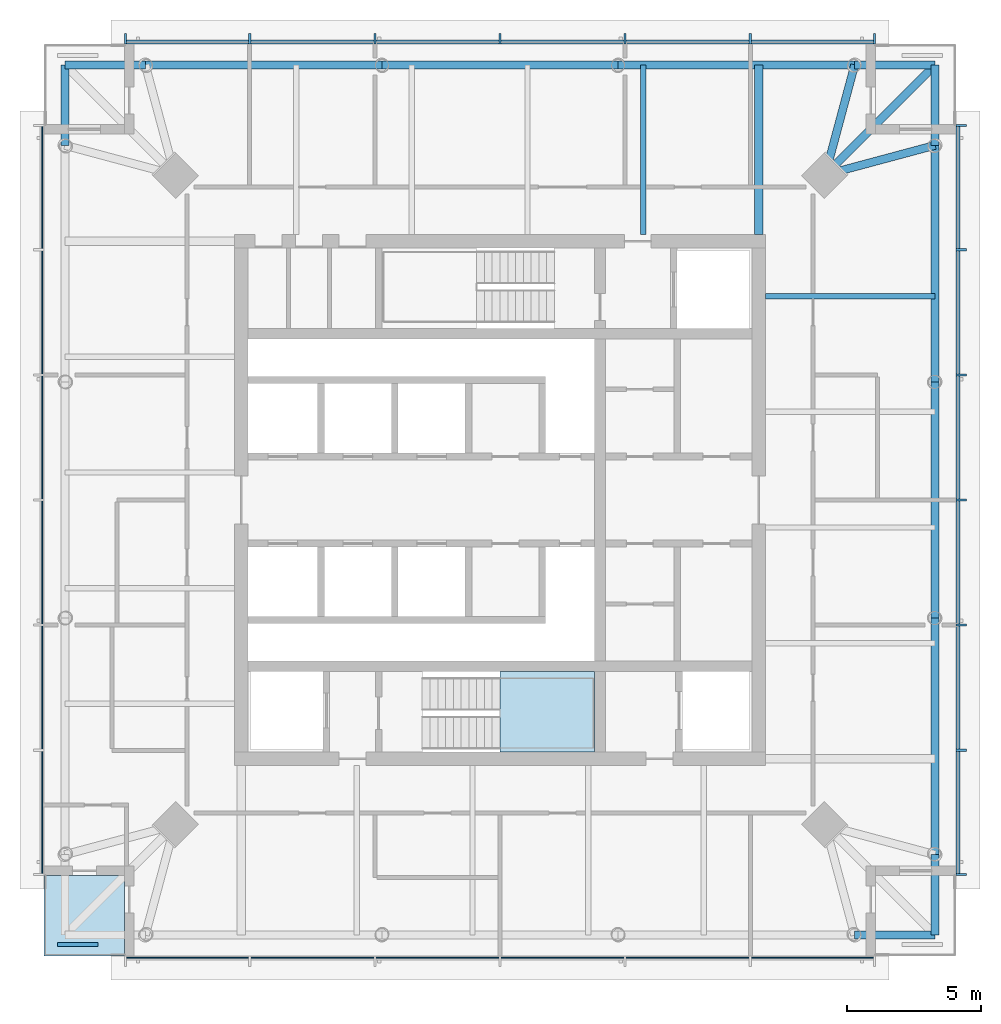
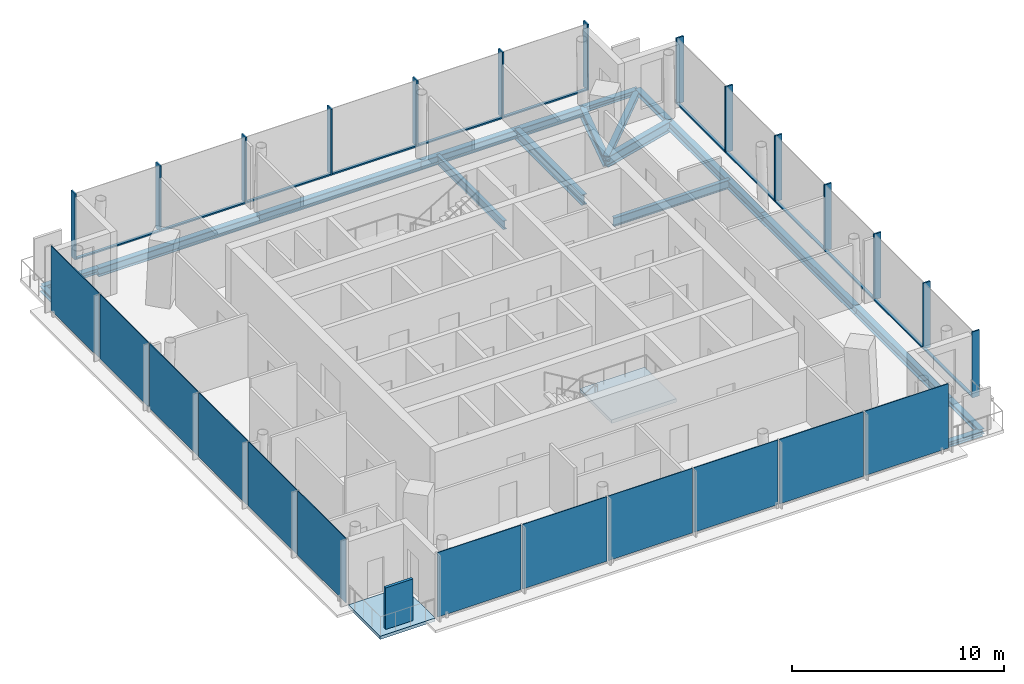
# One storey, part 2 of 9: 26 members, 18 beams, 13 plates, 2 slabs, 5 elements without a shape of their own.
"""IFC4 building model written with IfcOpenShell, lengths in metres."""

from ifc_helpers import new_model, si_unit, direction, frame, origin, origin_2d, place, context, subcontext, project, spatial, polyline, rectangle, i_section, outline, extrude, material, layer, layer_set, material_profile, profile_set, type_object, element, aggregate, save


model = new_model("IFC4")

# Units and contexts
model_context = context("Model", 3, precision=1e-05, world=origin(), true_north=direction((0.0, 1.0)))
body_context = subcontext(model_context, "Body", "Model", "MODEL_VIEW")
ifc_project = project(units=[si_unit("LENGTHUNIT", "METRE"), si_unit("AREAUNIT", "SQUARE_METRE"), si_unit("VOLUMEUNIT", "CUBIC_METRE"), si_unit("PLANEANGLEUNIT", "RADIAN"), si_unit("MASSUNIT", "GRAM", prefix="KILO")], contexts=[model_context])

# Site, building, storey
site_placement = place(None, origin())
site = spatial("IfcSite", under=ifc_project, at=site_placement, CompositionType="ELEMENT")
building_placement = place(site_placement, origin())
building = spatial("IfcBuilding", under=site, at=building_placement, Name="Ostroluk Exchange", CompositionType="ELEMENT")
storey_placement = place(building_placement, frame((0.0, 0.0, 264.199951171875)))
storey = spatial("IfcBuildingStorey", under=building, at=storey_placement, Name="L68", CompositionType="ELEMENT", Elevation=264.199951171875)

# Beams
ifc_material_1 = material(Name="Steel S355", Category="steel")
ifc_material_profile_1 = material_profile(ifc_material_1, i_section(OverallWidth=0.300048828125, OverallDepth=0.300048828125, WebThickness=0.010986328125, FlangeThickness=0.01904296875, FilletRadius=0.027099609375, at=origin_2d()), Name="HEB 300")
ifc_profile_set_1 = profile_set([ifc_material_profile_1], Name="Steel S355")
beam_type_1 = type_object("IfcBeamType", Name="Balcony beam HEB 300", PredefinedType="BEAM", material=ifc_profile_set_1)
for number, where, z_axis, x_axis, name in (
    (1, (61.228515625, 59.228515625, -0.329833984375), (0.0, 1.0, 0.0), (-1.0, 0.0, 0.0), "T1 east balcony beam a"),
    (2, (58.228515625, 62.228515625, -0.329833984375), (1.0, 0.0, 0.0), (0.0, 1.0, 0.0), "T1 east balcony beam b"),
):
    element("IfcBeam", number, at=place(storey_placement, frame(where, z_axis=z_axis, x_axis=x_axis)), inside=storey, type_object=beam_type_1, Name=name, PredefinedType="BEAM", context=body_context, shape_type="SweptSolid", body=[
        extrude(i_section(OverallWidth=0.300048828125, OverallDepth=0.300048828125, WebThickness=0.010986328125, FlangeThickness=0.01904296875, FilletRadius=0.027099609375, at=origin_2d()), origin(), (0.0, 0.0, 1.0), 3.0),
    ])
beam_1_placement = place(storey_placement, frame((57.128662109375, 58.128662109375, -0.329833984375), z_axis=(0.707106781187, 0.707106781187, 0.0), x_axis=(-0.707106781187, 0.707106781187, 0.0)))
element("IfcBeam", 3, at=beam_1_placement, inside=storey, type_object=beam_type_1, Name="T1 east balcony beam c", PredefinedType="BEAM", context=body_context, shape_type="SweptSolid", body=[
    extrude(i_section(OverallWidth=0.300048828125, OverallDepth=0.300048828125, WebThickness=0.010986328125, FlangeThickness=0.01904296875, FilletRadius=0.027099609375, at=origin_2d()), origin(), (0.0, 0.0, 1.0), 5.798095703125),
])
for number, where, z_axis, x_axis, name in (
    (4, (31.771484375, 62.228515625, -0.329833984375), (-1.0, 0.0, 0.0), (0.0, -1.0, 0.0), "T1 north balcony beam a"),
    (5, (28.771484375, 59.228515625, -0.329833984375), (0.0, 1.0, 0.0), (-1.0, 0.0, 0.0), "T1 north balcony beam b"),
    (6, (58.228515625, 29.771484375, -0.329833984375), (1.0, 0.0, 0.0), (0.0, 1.0, 0.0), "T1 south balcony beam a"),
    (7, (61.228515625, 32.771484375, -0.329833984375), (0.0, -1.0, 0.0), (1.0, 0.0, 0.0), "T1 south balcony beam b"),
):
    element("IfcBeam", number, at=place(storey_placement, frame(where, z_axis=z_axis, x_axis=x_axis)), inside=storey, type_object=beam_type_1, Name=name, PredefinedType="BEAM", context=body_context, shape_type="SweptSolid", body=[
        extrude(i_section(OverallWidth=0.300048828125, OverallDepth=0.300048828125, WebThickness=0.010986328125, FlangeThickness=0.01904296875, FilletRadius=0.027099609375, at=origin_2d()), origin(), (0.0, 0.0, 1.0), 3.0),
    ])
ifc_material_2 = material(Name="Steel S355", Category="steel")
ifc_material_profile_2 = material_profile(ifc_material_2, i_section(OverallWidth=0.300048828125, OverallDepth=0.60009765625, WebThickness=0.015380859375, FlangeThickness=0.030029296875, FilletRadius=0.027099609375, at=origin_2d()), Name="HEB 600")
ifc_profile_set_2 = profile_set([ifc_material_profile_2], Name="Steel S355")
beam_type_2 = type_object("IfcBeamType", Name="Corner edge beam HEB 600", PredefinedType="SPANDREL", material=ifc_profile_set_2)
for number, where, z_axis, x_axis, name in (
    (8, (57.128662109375, 58.128662109375, -0.47998046875), (0.965849156574, 0.259105011038, 0.0), (-0.259105011038, 0.965849156574, 0.0), "T1 east corner edge beam a"),
    (9, (57.128662109375, 58.128662109375, -0.47998046875), (0.259105011038, 0.965849156574, 0.0), (-0.965849156574, 0.259105011038, 0.0), "T1 east corner edge beam b"),
):
    element("IfcBeam", number, at=place(storey_placement, frame(where, z_axis=z_axis, x_axis=x_axis)), inside=storey, type_object=beam_type_2, Name=name, PredefinedType="SPANDREL", context=body_context, shape_type="SweptSolid", body=[
        extrude(i_section(OverallWidth=0.300048828125, OverallDepth=0.60009765625, WebThickness=0.015380859375, FlangeThickness=0.030029296875, FilletRadius=0.027099609375, at=origin_2d()), origin(), (0.0, 0.0, 1.0), 4.244873046875),
    ])
ifc_material_3 = material(Name="Steel S355", Category="steel")
ifc_material_profile_3 = material_profile(ifc_material_3, i_section(OverallWidth=0.199951171875, OverallDepth=0.5, WebThickness=0.01025390625, FlangeThickness=0.01611328125, FilletRadius=0.02099609375, at=origin_2d()), Name="IPE 500")
ifc_profile_set_3 = profile_set([ifc_material_profile_3], Name="Steel S355")
beam_type_3 = type_object("IfcBeamType", Name="Floor beam IPE 500", PredefinedType="BEAM", material=ifc_profile_set_3)
for number, where, z_axis, x_axis, name in (
    (10, (54.89990234375, 53.602294921875, -0.429931640625), (1.0, 0.0, 0.0), (0.0, 1.0, 0.0), "T1 east floor beam 4"),
    (11, (50.3369140625, 55.89990234375, -0.429931640625), (0.0, 1.0, 0.0), (-1.0, 0.0, 0.0), "T1 north floor beam 1"),
):
    element("IfcBeam", number, at=place(storey_placement, frame(where, z_axis=z_axis, x_axis=x_axis)), inside=storey, type_object=beam_type_3, Name=name, PredefinedType="BEAM", context=body_context, shape_type="SweptSolid", body=[
        extrude(i_section(OverallWidth=0.199951171875, OverallDepth=0.5, WebThickness=0.01025390625, FlangeThickness=0.01611328125, FilletRadius=0.02099609375, at=origin_2d()), origin(), (0.0, 0.0, 1.0), 6.32861328125),
    ])
ifc_material_4 = material(Name="Steel S355", Category="steel")
ifc_material_profile_4 = material_profile(ifc_material_4, i_section(OverallWidth=0.300048828125, OverallDepth=0.60009765625, WebThickness=0.015380859375, FlangeThickness=0.030029296875, FilletRadius=0.027099609375, at=origin_2d()), Name="HEB 600")
ifc_profile_set_4 = profile_set([ifc_material_profile_4], Name="Steel S355")
beam_type_4 = type_object("IfcBeamType", Name="Girder HEB 600", PredefinedType="BEAM", material=ifc_profile_set_4)
beam_2_placement = place(storey_placement, frame((54.64990234375, 55.89990234375, -0.47998046875), z_axis=(0.0, 1.0, 0.0), x_axis=(-1.0, 0.0, 0.0)))
element("IfcBeam", 12, at=beam_2_placement, inside=storey, type_object=beam_type_4, Name="T1 east girder", PredefinedType="BEAM", context=body_context, shape_type="SweptSolid", body=[
    extrude(i_section(OverallWidth=0.300048828125, OverallDepth=0.60009765625, WebThickness=0.015380859375, FlangeThickness=0.030029296875, FilletRadius=0.027099609375, at=origin_2d()), origin(), (0.0, 0.0, 1.0), 6.32861328125),
])
ifc_material_5 = material(Name="Steel S355", Category="steel")
ifc_material_profile_5 = material_profile(ifc_material_5, i_section(OverallWidth=0.300048828125, OverallDepth=0.5, WebThickness=0.014404296875, FlangeThickness=0.028076171875, FilletRadius=0.027099609375, at=origin_2d()), Name="HEB 500")
ifc_profile_set_5 = profile_set([ifc_material_profile_5], Name="Steel S355")
beam_type_5 = type_object("IfcBeamType", Name="Moment-connected edge beam HEB 500", PredefinedType="SPANDREL", material=ifc_profile_set_5)
beam_3_placement = place(storey_placement, frame((61.228515625, 32.771484375, -0.429931640625), z_axis=(0.0, 1.0, 0.0), x_axis=(-1.0, 0.0, 0.0)))
element("IfcBeam", 13, at=beam_3_placement, inside=storey, type_object=beam_type_5, Name="T1 east edge beam 1", PredefinedType="SPANDREL", context=body_context, shape_type="SweptSolid", body=[
    extrude(i_section(OverallWidth=0.300048828125, OverallDepth=0.5, WebThickness=0.014404296875, FlangeThickness=0.028076171875, FilletRadius=0.027099609375, at=origin_2d()), origin(), (0.0, 0.0, 1.0), 8.819091796875),
])
beam_4_placement = place(storey_placement, frame((61.228515625, 41.590576171875, -0.429931640625), z_axis=(0.0, 1.0, 0.0), x_axis=(-1.0, 0.0, 0.0)))
element("IfcBeam", 14, at=beam_4_placement, inside=storey, type_object=beam_type_5, Name="T1 east edge beam 2", PredefinedType="SPANDREL", context=body_context, shape_type="SweptSolid", body=[
    extrude(i_section(OverallWidth=0.300048828125, OverallDepth=0.5, WebThickness=0.014404296875, FlangeThickness=0.028076171875, FilletRadius=0.027099609375, at=origin_2d()), origin(), (0.0, 0.0, 1.0), 8.81884765625),
])
for number, where, z_axis, x_axis, name in (
    (15, (61.228515625, 50.409423828125, -0.429931640625), (0.0, 1.0, 0.0), (-1.0, 0.0, 0.0), "T1 east edge beam 3"),
    (16, (58.228515625, 62.228515625, -0.429931640625), (-1.0, 0.0, 0.0), (0.0, -1.0, 0.0), "T1 north edge beam 1"),
):
    element("IfcBeam", number, at=place(storey_placement, frame(where, z_axis=z_axis, x_axis=x_axis)), inside=storey, type_object=beam_type_5, Name=name, PredefinedType="SPANDREL", context=body_context, shape_type="SweptSolid", body=[
        extrude(i_section(OverallWidth=0.300048828125, OverallDepth=0.5, WebThickness=0.014404296875, FlangeThickness=0.028076171875, FilletRadius=0.027099609375, at=origin_2d()), origin(), (0.0, 0.0, 1.0), 8.819091796875),
    ])
beam_5_placement = place(storey_placement, frame((49.409423828125, 62.228515625, -0.429931640625), z_axis=(-1.0, 0.0, 0.0), x_axis=(0.0, -1.0, 0.0)))
element("IfcBeam", 17, at=beam_5_placement, inside=storey, type_object=beam_type_5, Name="T1 north edge beam 2", PredefinedType="SPANDREL", context=body_context, shape_type="SweptSolid", body=[
    extrude(i_section(OverallWidth=0.300048828125, OverallDepth=0.5, WebThickness=0.014404296875, FlangeThickness=0.028076171875, FilletRadius=0.027099609375, at=origin_2d()), origin(), (0.0, 0.0, 1.0), 8.81884765625),
])
beam_6_placement = place(storey_placement, frame((40.590576171875, 62.228515625, -0.429931640625), z_axis=(-1.0, 0.0, 0.0), x_axis=(0.0, -1.0, 0.0)))
element("IfcBeam", 18, at=beam_6_placement, inside=storey, type_object=beam_type_5, Name="T1 north edge beam 3", PredefinedType="SPANDREL", context=body_context, shape_type="SweptSolid", body=[
    extrude(i_section(OverallWidth=0.300048828125, OverallDepth=0.5, WebThickness=0.014404296875, FlangeThickness=0.028076171875, FilletRadius=0.027099609375, at=origin_2d()), origin(), (0.0, 0.0, 1.0), 8.819091796875),
])

# Curtain wall, members
ifc_material_6 = material(Name="Laminated clear glass", Category="glass")
curtain_wall_type = type_object("IfcCurtainWallType", Name="Office tower facade", PredefinedType="USERDEFINED", material=ifc_material_6)
curtain_wall_1_placement = place(storey_placement, origin())
curtain_wall_1 = element("IfcCurtainWall", 19, at=curtain_wall_1_placement, inside=storey, type_object=curtain_wall_type, Name="Office tower east facade L68", ObjectType="UNITISED CURTAIN WALL", PredefinedType="USERDEFINED")
ifc_material_7 = material(Name="Aluminium mullion", Category="aluminium")
ifc_material_profile_6 = material_profile(ifc_material_7, rectangle(XDim=0.14990234375, YDim=0.080078125, at=origin_2d()), Name="Sill transom 80 x 150")
ifc_profile_set_6 = profile_set([ifc_material_profile_6], Name="Aluminium mullion")
member_type_1 = type_object("IfcMemberType", Name="Sill transom 80 x 150", PredefinedType="USERDEFINED", material=ifc_profile_set_6)
member_1_placement = place(storey_placement, frame((62.074951171875, 32.080078125, 0.0400390625), z_axis=(0.0, 1.0, 0.0), x_axis=(-1.0, 0.0, 0.0)))
member_1 = element("IfcMember", 20, at=member_1_placement, type_object=member_type_1, Name="CW-O1 transom 1.1", ObjectType="TRANSOM", PredefinedType="USERDEFINED", context=body_context, shape_type="SweptSolid", body=[
    extrude(rectangle(XDim=0.14990234375, YDim=0.080078125, at=origin_2d()), origin(), (0.0, 0.0, 1.0), 4.546630859375),
])
member_2_placement = place(storey_placement, frame((62.074951171875, 36.706787109375, 0.0400390625), z_axis=(0.0, 1.0, 0.0), x_axis=(-1.0, 0.0, 0.0)))
member_2 = element("IfcMember", 21, at=member_2_placement, type_object=member_type_1, Name="CW-O1 transom 2.1", ObjectType="TRANSOM", PredefinedType="USERDEFINED", context=body_context, shape_type="SweptSolid", body=[
    extrude(rectangle(XDim=0.14990234375, YDim=0.080078125, at=origin_2d()), origin(), (0.0, 0.0, 1.0), 4.58642578125),
])
member_3_placement = place(storey_placement, frame((62.074951171875, 41.373291015625, 0.0400390625), z_axis=(0.0, 1.0, 0.0), x_axis=(-1.0, 0.0, 0.0)))
member_3 = element("IfcMember", 22, at=member_3_placement, type_object=member_type_1, Name="CW-O1 transom 3.1", ObjectType="TRANSOM", PredefinedType="USERDEFINED", context=body_context, shape_type="SweptSolid", body=[
    extrude(rectangle(XDim=0.14990234375, YDim=0.080078125, at=origin_2d()), origin(), (0.0, 0.0, 1.0), 4.586669921875),
])
member_4_placement = place(storey_placement, frame((62.074951171875, 46.0400390625, 0.0400390625), z_axis=(0.0, 1.0, 0.0), x_axis=(-1.0, 0.0, 0.0)))
member_4 = element("IfcMember", 23, at=member_4_placement, type_object=member_type_1, Name="CW-O1 transom 4.1", ObjectType="TRANSOM", PredefinedType="USERDEFINED", context=body_context, shape_type="SweptSolid", body=[
    extrude(rectangle(XDim=0.14990234375, YDim=0.080078125, at=origin_2d()), origin(), (0.0, 0.0, 1.0), 4.586669921875),
])
member_5_placement = place(storey_placement, frame((62.074951171875, 50.706787109375, 0.0400390625), z_axis=(0.0, 1.0, 0.0), x_axis=(-1.0, 0.0, 0.0)))
member_5 = element("IfcMember", 24, at=member_5_placement, type_object=member_type_1, Name="CW-O1 transom 5.1", ObjectType="TRANSOM", PredefinedType="USERDEFINED", context=body_context, shape_type="SweptSolid", body=[
    extrude(rectangle(XDim=0.14990234375, YDim=0.080078125, at=origin_2d()), origin(), (0.0, 0.0, 1.0), 4.58642578125),
])
member_6_placement = place(storey_placement, frame((62.074951171875, 55.373291015625, 0.0400390625), z_axis=(0.0, 1.0, 0.0), x_axis=(-1.0, 0.0, 0.0)))
member_6 = element("IfcMember", 25, at=member_6_placement, type_object=member_type_1, Name="CW-O1 transom 6.1", ObjectType="TRANSOM", PredefinedType="USERDEFINED", context=body_context, shape_type="SweptSolid", body=[
    extrude(rectangle(XDim=0.14990234375, YDim=0.080078125, at=origin_2d()), origin(), (0.0, 0.0, 1.0), 4.546630859375),
])

curtain_wall_2_placement = place(storey_placement, origin())
curtain_wall_2 = element("IfcCurtainWall", 26, at=curtain_wall_2_placement, inside=storey, type_object=curtain_wall_type, Name="Office tower north facade L68", ObjectType="UNITISED CURTAIN WALL", PredefinedType="USERDEFINED")
member_7_placement = place(storey_placement, frame((58.919921875, 63.074951171875, 0.0400390625), z_axis=(-1.0, 0.0, 0.0), x_axis=(0.0, -1.0, 0.0)))
member_7 = element("IfcMember", 27, at=member_7_placement, type_object=member_type_1, Name="CW-O1 transom 1.1", ObjectType="TRANSOM", PredefinedType="USERDEFINED", context=body_context, shape_type="SweptSolid", body=[
    extrude(rectangle(XDim=0.14990234375, YDim=0.080078125, at=origin_2d()), origin(), (0.0, 0.0, 1.0), 4.546630859375),
])
member_8_placement = place(storey_placement, frame((54.293212890625, 63.074951171875, 0.0400390625), z_axis=(-1.0, 0.0, 0.0), x_axis=(0.0, -1.0, 0.0)))
member_8 = element("IfcMember", 28, at=member_8_placement, type_object=member_type_1, Name="CW-O1 transom 2.1", ObjectType="TRANSOM", PredefinedType="USERDEFINED", context=body_context, shape_type="SweptSolid", body=[
    extrude(rectangle(XDim=0.14990234375, YDim=0.080078125, at=origin_2d()), origin(), (0.0, 0.0, 1.0), 4.58642578125),
])
member_9_placement = place(storey_placement, frame((49.626708984375, 63.074951171875, 0.0400390625), z_axis=(-1.0, 0.0, 0.0), x_axis=(0.0, -1.0, 0.0)))
member_9 = element("IfcMember", 29, at=member_9_placement, type_object=member_type_1, Name="CW-O1 transom 3.1", ObjectType="TRANSOM", PredefinedType="USERDEFINED", context=body_context, shape_type="SweptSolid", body=[
    extrude(rectangle(XDim=0.14990234375, YDim=0.080078125, at=origin_2d()), origin(), (0.0, 0.0, 1.0), 4.586669921875),
])
member_10_placement = place(storey_placement, frame((44.9599609375, 63.074951171875, 0.0400390625), z_axis=(-1.0, 0.0, 0.0), x_axis=(0.0, -1.0, 0.0)))
member_10 = element("IfcMember", 30, at=member_10_placement, type_object=member_type_1, Name="CW-O1 transom 4.1", ObjectType="TRANSOM", PredefinedType="USERDEFINED", context=body_context, shape_type="SweptSolid", body=[
    extrude(rectangle(XDim=0.14990234375, YDim=0.080078125, at=origin_2d()), origin(), (0.0, 0.0, 1.0), 4.586669921875),
])
member_11_placement = place(storey_placement, frame((40.293212890625, 63.074951171875, 0.0400390625), z_axis=(-1.0, 0.0, 0.0), x_axis=(0.0, -1.0, 0.0)))
member_11 = element("IfcMember", 31, at=member_11_placement, type_object=member_type_1, Name="CW-O1 transom 5.1", ObjectType="TRANSOM", PredefinedType="USERDEFINED", context=body_context, shape_type="SweptSolid", body=[
    extrude(rectangle(XDim=0.14990234375, YDim=0.080078125, at=origin_2d()), origin(), (0.0, 0.0, 1.0), 4.58642578125),
])
member_12_placement = place(storey_placement, frame((35.626708984375, 63.074951171875, 0.0400390625), z_axis=(-1.0, 0.0, 0.0), x_axis=(0.0, -1.0, 0.0)))
member_12 = element("IfcMember", 32, at=member_12_placement, type_object=member_type_1, Name="CW-O1 transom 6.1", ObjectType="TRANSOM", PredefinedType="USERDEFINED", context=body_context, shape_type="SweptSolid", body=[
    extrude(rectangle(XDim=0.14990234375, YDim=0.080078125, at=origin_2d()), origin(), (0.0, 0.0, 1.0), 4.546630859375),
])

# Member
ifc_material_8 = material(Name="Aluminium mullion with limestone facing", Category="masonry")
ifc_material_profile_7 = material_profile(ifc_material_8, rectangle(XDim=0.39990234375, YDim=0.080078125, at=origin_2d()), Name="Tracery mullion 80 x 400")
ifc_profile_set_7 = profile_set([ifc_material_profile_7], Name="Aluminium mullion with limestone facing")
member_type_2 = type_object("IfcMemberType", Name="Tracery mullion 80 x 400", PredefinedType="MULLION", material=ifc_profile_set_7)
member_13_placement = place(storey_placement, frame((62.199951171875, 32.0400390625, 0.0), z_axis=(0.0, 0.0, 1.0), x_axis=(-1.0, 0.0, 0.0)))
member_13 = element("IfcMember", 33, at=member_13_placement, type_object=member_type_2, Name="CW-O1 mullion 1", PredefinedType="MULLION", context=body_context, shape_type="SweptSolid", body=[
    extrude(rectangle(XDim=0.39990234375, YDim=0.080078125, at=origin_2d()), origin(), (0.0, 0.0, 1.0), 3.800048828125),
])

member_14_placement = place(storey_placement, frame((62.199951171875, 36.666748046875, 0.0), z_axis=(0.0, 0.0, 1.0), x_axis=(-1.0, 0.0, 0.0)))
member_14 = element("IfcMember", 34, at=member_14_placement, type_object=member_type_2, Name="CW-O1 mullion 2", PredefinedType="MULLION", context=body_context, shape_type="SweptSolid", body=[
    extrude(rectangle(XDim=0.39990234375, YDim=0.080078125, at=origin_2d()), origin(), (0.0, 0.0, 1.0), 3.800048828125),
])

member_15_placement = place(storey_placement, frame((62.199951171875, 41.333251953125, 0.0), z_axis=(0.0, 0.0, 1.0), x_axis=(-1.0, 0.0, 0.0)))
member_15 = element("IfcMember", 35, at=member_15_placement, type_object=member_type_2, Name="CW-O1 mullion 3", PredefinedType="MULLION", context=body_context, shape_type="SweptSolid", body=[
    extrude(rectangle(XDim=0.39990234375, YDim=0.080078125, at=origin_2d()), origin(), (0.0, 0.0, 1.0), 3.800048828125),
])

member_16_placement = place(storey_placement, frame((62.199951171875, 46.0, 0.0), z_axis=(0.0, 0.0, 1.0), x_axis=(-1.0, 0.0, 0.0)))
member_16 = element("IfcMember", 36, at=member_16_placement, type_object=member_type_2, Name="CW-O1 mullion 4", PredefinedType="MULLION", context=body_context, shape_type="SweptSolid", body=[
    extrude(rectangle(XDim=0.39990234375, YDim=0.080078125, at=origin_2d()), origin(), (0.0, 0.0, 1.0), 3.800048828125),
])

member_17_placement = place(storey_placement, frame((62.199951171875, 50.666748046875, 0.0), z_axis=(0.0, 0.0, 1.0), x_axis=(-1.0, 0.0, 0.0)))
member_17 = element("IfcMember", 37, at=member_17_placement, type_object=member_type_2, Name="CW-O1 mullion 5", PredefinedType="MULLION", context=body_context, shape_type="SweptSolid", body=[
    extrude(rectangle(XDim=0.39990234375, YDim=0.080078125, at=origin_2d()), origin(), (0.0, 0.0, 1.0), 3.800048828125),
])

member_18_placement = place(storey_placement, frame((62.199951171875, 55.333251953125, 0.0), z_axis=(0.0, 0.0, 1.0), x_axis=(-1.0, 0.0, 0.0)))
member_18 = element("IfcMember", 38, at=member_18_placement, type_object=member_type_2, Name="CW-O1 mullion 6", PredefinedType="MULLION", context=body_context, shape_type="SweptSolid", body=[
    extrude(rectangle(XDim=0.39990234375, YDim=0.080078125, at=origin_2d()), origin(), (0.0, 0.0, 1.0), 3.800048828125),
])

member_19_placement = place(storey_placement, frame((62.199951171875, 59.9599609375, 0.0), z_axis=(0.0, 0.0, 1.0), x_axis=(-1.0, 0.0, 0.0)))
member_19 = element("IfcMember", 39, at=member_19_placement, type_object=member_type_2, Name="CW-O1 mullion 7", PredefinedType="MULLION", context=body_context, shape_type="SweptSolid", body=[
    extrude(rectangle(XDim=0.39990234375, YDim=0.080078125, at=origin_2d()), origin(), (0.0, 0.0, 1.0), 3.800048828125),
])

aggregate(curtain_wall_1, [member_13, member_14, member_15, member_16, member_17, member_18, member_19, member_1, member_2, member_3, member_4, member_5, member_6])

member_20_placement = place(storey_placement, frame((58.9599609375, 63.199951171875, 0.0), z_axis=(0.0, 0.0, 1.0), x_axis=(0.0, -1.0, 0.0)))
member_20 = element("IfcMember", 40, at=member_20_placement, type_object=member_type_2, Name="CW-O1 mullion 1", PredefinedType="MULLION", context=body_context, shape_type="SweptSolid", body=[
    extrude(rectangle(XDim=0.39990234375, YDim=0.080078125, at=origin_2d()), origin(), (0.0, 0.0, 1.0), 3.800048828125),
])

member_21_placement = place(storey_placement, frame((54.333251953125, 63.199951171875, 0.0), z_axis=(0.0, 0.0, 1.0), x_axis=(0.0, -1.0, 0.0)))
member_21 = element("IfcMember", 41, at=member_21_placement, type_object=member_type_2, Name="CW-O1 mullion 2", PredefinedType="MULLION", context=body_context, shape_type="SweptSolid", body=[
    extrude(rectangle(XDim=0.39990234375, YDim=0.080078125, at=origin_2d()), origin(), (0.0, 0.0, 1.0), 3.800048828125),
])

member_22_placement = place(storey_placement, frame((49.666748046875, 63.199951171875, 0.0), z_axis=(0.0, 0.0, 1.0), x_axis=(0.0, -1.0, 0.0)))
member_22 = element("IfcMember", 42, at=member_22_placement, type_object=member_type_2, Name="CW-O1 mullion 3", PredefinedType="MULLION", context=body_context, shape_type="SweptSolid", body=[
    extrude(rectangle(XDim=0.39990234375, YDim=0.080078125, at=origin_2d()), origin(), (0.0, 0.0, 1.0), 3.800048828125),
])

member_23_placement = place(storey_placement, frame((45.0, 63.199951171875, 0.0), z_axis=(0.0, 0.0, 1.0), x_axis=(0.0, -1.0, 0.0)))
member_23 = element("IfcMember", 43, at=member_23_placement, type_object=member_type_2, Name="CW-O1 mullion 4", PredefinedType="MULLION", context=body_context, shape_type="SweptSolid", body=[
    extrude(rectangle(XDim=0.39990234375, YDim=0.080078125, at=origin_2d()), origin(), (0.0, 0.0, 1.0), 3.800048828125),
])

member_24_placement = place(storey_placement, frame((40.333251953125, 63.199951171875, 0.0), z_axis=(0.0, 0.0, 1.0), x_axis=(0.0, -1.0, 0.0)))
member_24 = element("IfcMember", 44, at=member_24_placement, type_object=member_type_2, Name="CW-O1 mullion 5", PredefinedType="MULLION", context=body_context, shape_type="SweptSolid", body=[
    extrude(rectangle(XDim=0.39990234375, YDim=0.080078125, at=origin_2d()), origin(), (0.0, 0.0, 1.0), 3.800048828125),
])

member_25_placement = place(storey_placement, frame((35.666748046875, 63.199951171875, 0.0), z_axis=(0.0, 0.0, 1.0), x_axis=(0.0, -1.0, 0.0)))
member_25 = element("IfcMember", 45, at=member_25_placement, type_object=member_type_2, Name="CW-O1 mullion 6", PredefinedType="MULLION", context=body_context, shape_type="SweptSolid", body=[
    extrude(rectangle(XDim=0.39990234375, YDim=0.080078125, at=origin_2d()), origin(), (0.0, 0.0, 1.0), 3.800048828125),
])

member_26_placement = place(storey_placement, frame((31.0400390625, 63.199951171875, 0.0), z_axis=(0.0, 0.0, 1.0), x_axis=(0.0, -1.0, 0.0)))
member_26 = element("IfcMember", 46, at=member_26_placement, type_object=member_type_2, Name="CW-O1 mullion 7", PredefinedType="MULLION", context=body_context, shape_type="SweptSolid", body=[
    extrude(rectangle(XDim=0.39990234375, YDim=0.080078125, at=origin_2d()), origin(), (0.0, 0.0, 1.0), 3.800048828125),
])

aggregate(curtain_wall_2, [member_20, member_21, member_22, member_23, member_24, member_25, member_26, member_7, member_8, member_9, member_10, member_11, member_12])

# Slab
ifc_material_9 = material(Name="Concrete C35/45", Category="concrete")
ifc_layer_1 = layer(ifc_material_9, 0.179931640625)
ifc_layer_set_1 = layer_set([ifc_layer_1], Name="Balcony slab 180")
slab_type_1 = type_object("IfcSlabType", Name="Balcony slab 180", PredefinedType="USERDEFINED", material=ifc_layer_set_1)
slab_1_placement = place(storey_placement, frame((0.0, 0.0, -0.179931640625)))
element("IfcSlab", 47, at=slab_1_placement, inside=storey, type_object=slab_type_1, Name="Office tower SW corner balcony L68", ObjectType="BALCONY", PredefinedType="USERDEFINED", context=body_context, shape_type="SweptSolid", body=[
    extrude(outline(polyline([(28.0, 29.0), (31.0, 29.0), (31.0, 32.0), (28.0, 32.0), (28.0, 29.0)])), origin(), (0.0, 0.0, 1.0), 0.179931640625),
])

# Plate
ifc_material_10 = material(Name="Steel S355 trellis with planting", Category="steel")
ifc_layer_2 = layer(ifc_material_10, 0.14990234375)
ifc_layer_set_2 = layer_set([ifc_layer_2], Name="Planted screen 150")
plate_type_1 = type_object("IfcPlateType", Name="Planted screen 150", PredefinedType="USERDEFINED", material=ifc_layer_set_2)
plate_1_placement = place(storey_placement, frame((29.25, 29.425048828125, 0.0), z_axis=(0.0, 0.0, 1.0), x_axis=(1.0, 0.0, 0.0)))
element("IfcPlate", 48, at=plate_1_placement, inside=storey, type_object=plate_type_1, Name="Office tower SW planted screen L68", ObjectType="PLANTED SCREEN", PredefinedType="USERDEFINED", context=body_context, shape_type="SweptSolid", body=[
    extrude(rectangle(XDim=1.5, YDim=0.14990234375, at=origin_2d()), origin(), (0.0, 0.0, 1.0), 2.39990234375),
])

# Stair, slab
ifc_material_11 = material(Name="Concrete C30/37", Category="concrete")
stair_type = type_object("IfcStairType", Name="Exit stair half turn 3800", PredefinedType="HALF_TURN_STAIR", material=ifc_material_11)
stair_placement = place(storey_placement, origin())
stair = element("IfcStair", 49, at=stair_placement, inside=storey, type_object=stair_type, Name="Stair T1-S1 L68", PredefinedType="HALF_TURN_STAIR")
ifc_material_12 = material(Name="Concrete C30/37", Category="concrete")
ifc_layer_3 = layer(ifc_material_12, 0.199951171875)
ifc_layer_set_3 = layer_set([ifc_layer_3], Name="Stair landing 200")
slab_type_2 = type_object("IfcSlabType", Name="Stair landing 200", PredefinedType="LANDING", material=ifc_layer_set_3)
slab_2_placement = place(storey_placement, frame((0.0, 0.0, 1.699951171875)))
slab_2 = element("IfcSlab", 50, at=slab_2_placement, type_object=slab_type_2, Name="T1-S1 landing 1", PredefinedType="LANDING", context=body_context, shape_type="SweptSolid", body=[
    extrude(outline(polyline([(45.0, 36.60009765625), (45.0, 39.60009765625), (48.530029296875, 39.60009765625), (48.530029296875, 36.60009765625), (45.0, 36.60009765625)])), origin(), (0.0, 0.0, 1.0), 0.2001953125),
])
aggregate(stair, [slab_2])

# Curtain wall, plates
curtain_wall_3_placement = place(storey_placement, origin())
curtain_wall_3 = element("IfcCurtainWall", 51, at=curtain_wall_3_placement, inside=storey, type_object=curtain_wall_type, Name="Office tower south facade L68", ObjectType="UNITISED CURTAIN WALL", PredefinedType="USERDEFINED")
ifc_material_13 = material(Name="Laminated clear glass", Category="glass")
ifc_layer_4 = layer(ifc_material_13, 0.0439453125)
ifc_layer_set_4 = layer_set([ifc_layer_4], Name="Triple laminated clear glazing 44")
plate_type_2 = type_object("IfcPlateType", Name="Triple laminated clear glazing 44", PredefinedType="CURTAIN_PANEL", material=ifc_layer_set_4)
plate_2_placement = place(storey_placement, frame((33.353271484375, 28.925048828125, 0.080078125), z_axis=(0.0, 0.0, 1.0), x_axis=(1.0, 0.0, 0.0)))
plate_2 = element("IfcPlate", 52, at=plate_2_placement, type_object=plate_type_2, Name="CW-O1 panel 1.1", PredefinedType="CURTAIN_PANEL", context=body_context, shape_type="SweptSolid", body=[
    extrude(rectangle(XDim=4.546630859375, YDim=0.0439453125, at=origin_2d()), origin(), (0.0, 0.0, 1.0), 3.719970703125),
])
plate_3_placement = place(storey_placement, frame((38.0, 28.925048828125, 0.080078125), z_axis=(0.0, 0.0, 1.0), x_axis=(1.0, 0.0, 0.0)))
plate_3 = element("IfcPlate", 53, at=plate_3_placement, type_object=plate_type_2, Name="CW-O1 panel 2.1", PredefinedType="CURTAIN_PANEL", context=body_context, shape_type="SweptSolid", body=[
    extrude(rectangle(XDim=4.586669921875, YDim=0.0439453125, at=origin_2d()), origin(), (0.0, 0.0, 1.0), 3.719970703125),
])
plate_4_placement = place(storey_placement, frame((42.666748046875, 28.925048828125, 0.080078125), z_axis=(0.0, 0.0, 1.0), x_axis=(1.0, 0.0, 0.0)))
plate_4 = element("IfcPlate", 54, at=plate_4_placement, type_object=plate_type_2, Name="CW-O1 panel 3.1", PredefinedType="CURTAIN_PANEL", context=body_context, shape_type="SweptSolid", body=[
    extrude(rectangle(XDim=4.586669921875, YDim=0.0439453125, at=origin_2d()), origin(), (0.0, 0.0, 1.0), 3.719970703125),
])
plate_5_placement = place(storey_placement, frame((47.333251953125, 28.925048828125, 0.080078125), z_axis=(0.0, 0.0, 1.0), x_axis=(1.0, 0.0, 0.0)))
plate_5 = element("IfcPlate", 55, at=plate_5_placement, type_object=plate_type_2, Name="CW-O1 panel 4.1", PredefinedType="CURTAIN_PANEL", context=body_context, shape_type="SweptSolid", body=[
    extrude(rectangle(XDim=4.586669921875, YDim=0.0439453125, at=origin_2d()), origin(), (0.0, 0.0, 1.0), 3.719970703125),
])
plate_6_placement = place(storey_placement, frame((52.0, 28.925048828125, 0.080078125), z_axis=(0.0, 0.0, 1.0), x_axis=(1.0, 0.0, 0.0)))
plate_6 = element("IfcPlate", 56, at=plate_6_placement, type_object=plate_type_2, Name="CW-O1 panel 5.1", PredefinedType="CURTAIN_PANEL", context=body_context, shape_type="SweptSolid", body=[
    extrude(rectangle(XDim=4.586669921875, YDim=0.0439453125, at=origin_2d()), origin(), (0.0, 0.0, 1.0), 3.719970703125),
])
plate_7_placement = place(storey_placement, frame((56.646728515625, 28.925048828125, 0.080078125), z_axis=(0.0, 0.0, 1.0), x_axis=(1.0, 0.0, 0.0)))
plate_7 = element("IfcPlate", 57, at=plate_7_placement, type_object=plate_type_2, Name="CW-O1 panel 6.1", PredefinedType="CURTAIN_PANEL", context=body_context, shape_type="SweptSolid", body=[
    extrude(rectangle(XDim=4.546630859375, YDim=0.0439453125, at=origin_2d()), origin(), (0.0, 0.0, 1.0), 3.719970703125),
])
aggregate(curtain_wall_3, [plate_2, plate_3, plate_4, plate_5, plate_6, plate_7])

curtain_wall_4_placement = place(storey_placement, origin())
curtain_wall_4 = element("IfcCurtainWall", 58, at=curtain_wall_4_placement, inside=storey, type_object=curtain_wall_type, Name="Office tower west facade L68", ObjectType="UNITISED CURTAIN WALL", PredefinedType="USERDEFINED")
plate_8_placement = place(storey_placement, frame((27.925048828125, 57.646728515625, 0.080078125), z_axis=(0.0, 0.0, 1.0), x_axis=(0.0, -1.0, 0.0)))
plate_8 = element("IfcPlate", 59, at=plate_8_placement, type_object=plate_type_2, Name="CW-O1 panel 1.1", PredefinedType="CURTAIN_PANEL", context=body_context, shape_type="SweptSolid", body=[
    extrude(rectangle(XDim=4.546630859375, YDim=0.0439453125, at=origin_2d()), origin(), (0.0, 0.0, 1.0), 3.719970703125),
])
plate_9_placement = place(storey_placement, frame((27.925048828125, 53.0, 0.080078125), z_axis=(0.0, 0.0, 1.0), x_axis=(0.0, -1.0, 0.0)))
plate_9 = element("IfcPlate", 60, at=plate_9_placement, type_object=plate_type_2, Name="CW-O1 panel 2.1", PredefinedType="CURTAIN_PANEL", context=body_context, shape_type="SweptSolid", body=[
    extrude(rectangle(XDim=4.586669921875, YDim=0.0439453125, at=origin_2d()), origin(), (0.0, 0.0, 1.0), 3.719970703125),
])
plate_10_placement = place(storey_placement, frame((27.925048828125, 48.333251953125, 0.080078125), z_axis=(0.0, 0.0, 1.0), x_axis=(0.0, -1.0, 0.0)))
plate_10 = element("IfcPlate", 61, at=plate_10_placement, type_object=plate_type_2, Name="CW-O1 panel 3.1", PredefinedType="CURTAIN_PANEL", context=body_context, shape_type="SweptSolid", body=[
    extrude(rectangle(XDim=4.586669921875, YDim=0.0439453125, at=origin_2d()), origin(), (0.0, 0.0, 1.0), 3.719970703125),
])
plate_11_placement = place(storey_placement, frame((27.925048828125, 43.666748046875, 0.080078125), z_axis=(0.0, 0.0, 1.0), x_axis=(0.0, -1.0, 0.0)))
plate_11 = element("IfcPlate", 62, at=plate_11_placement, type_object=plate_type_2, Name="CW-O1 panel 4.1", PredefinedType="CURTAIN_PANEL", context=body_context, shape_type="SweptSolid", body=[
    extrude(rectangle(XDim=4.586669921875, YDim=0.0439453125, at=origin_2d()), origin(), (0.0, 0.0, 1.0), 3.719970703125),
])
plate_12_placement = place(storey_placement, frame((27.925048828125, 39.0, 0.080078125), z_axis=(0.0, 0.0, 1.0), x_axis=(0.0, -1.0, 0.0)))
plate_12 = element("IfcPlate", 63, at=plate_12_placement, type_object=plate_type_2, Name="CW-O1 panel 5.1", PredefinedType="CURTAIN_PANEL", context=body_context, shape_type="SweptSolid", body=[
    extrude(rectangle(XDim=4.586669921875, YDim=0.0439453125, at=origin_2d()), origin(), (0.0, 0.0, 1.0), 3.719970703125),
])
plate_13_placement = place(storey_placement, frame((27.925048828125, 34.353271484375, 0.080078125), z_axis=(0.0, 0.0, 1.0), x_axis=(0.0, -1.0, 0.0)))
plate_13 = element("IfcPlate", 64, at=plate_13_placement, type_object=plate_type_2, Name="CW-O1 panel 6.1", PredefinedType="CURTAIN_PANEL", context=body_context, shape_type="SweptSolid", body=[
    extrude(rectangle(XDim=4.546630859375, YDim=0.0439453125, at=origin_2d()), origin(), (0.0, 0.0, 1.0), 3.719970703125),
])
aggregate(curtain_wall_4, [plate_8, plate_9, plate_10, plate_11, plate_12, plate_13])

save(model, "model.ifc")
